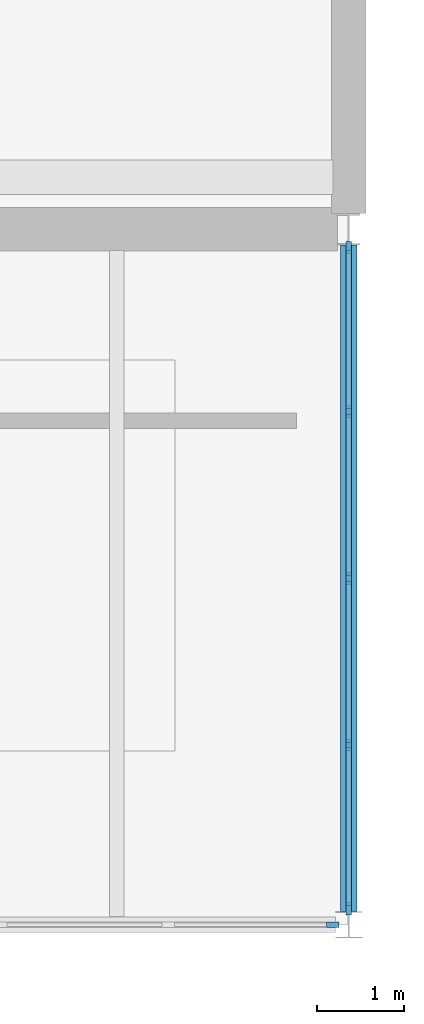
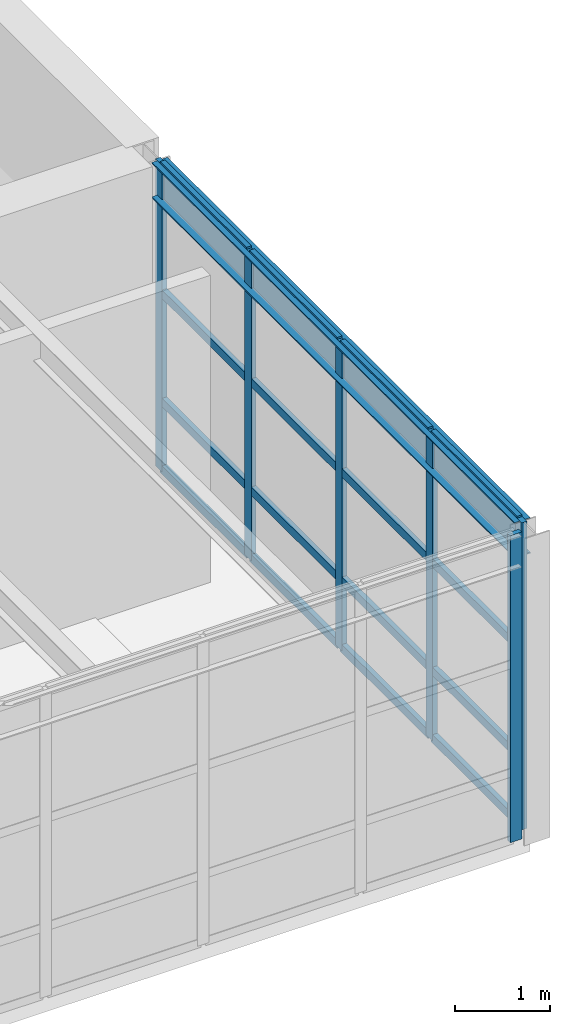
# One storey, part 7 of 15: 22 members, 1 beam, 2 elements without a shape of their own.
"""IFC4 building model written with IfcOpenShell, lengths in metres."""

from ifc_helpers import new_model, si_unit, direction, frame, origin, origin_2d, place, context, subcontext, project, spatial, rectangle, i_section, extrude, material, layer, layer_set, material_profile, profile_set, type_object, element, aggregate, save


model = new_model("IFC4")

# Units and contexts
model_context = context("Model", 3, precision=1e-05, world=origin(), true_north=direction((0.0, 1.0)))
body_context = subcontext(model_context, "Body", "Model", "MODEL_VIEW")
ifc_project = project(units=[si_unit("LENGTHUNIT", "METRE"), si_unit("AREAUNIT", "SQUARE_METRE"), si_unit("VOLUMEUNIT", "CUBIC_METRE"), si_unit("PLANEANGLEUNIT", "RADIAN"), si_unit("MASSUNIT", "GRAM", prefix="KILO")], contexts=[model_context])

# Site, building, storey
site_placement = place(None, origin())
site = spatial("IfcSite", under=ifc_project, at=site_placement, CompositionType="ELEMENT")
building_placement = place(site_placement, origin())
building = spatial("IfcBuilding", under=site, at=building_placement, Name="Varnela Railside Interchange", CompositionType="ELEMENT")
storey_placement = place(building_placement, frame((0.0, 0.0, 32.199951171875)))
storey = spatial("IfcBuildingStorey", under=building, at=storey_placement, Name="L07", CompositionType="ELEMENT", Elevation=32.199951171875)

# Curtain wall, member
ifc_material_1 = material(Name="Aluminium 6063-T6", Category="aluminium")
ifc_layer = layer(ifc_material_1, 0.035888671875)
ifc_layer_set = layer_set([ifc_layer], Name="Aluminium 6063-T6")
curtain_wall_type = type_object("IfcCurtainWallType", Name="Operations Wing Facade Curtain Wall CW-03", PredefinedType="USERDEFINED", material=ifc_layer_set)
curtain_wall_1_placement = place(storey_placement, origin())
curtain_wall_1 = element("IfcCurtainWall", 1, at=curtain_wall_1_placement, inside=storey, type_object=curtain_wall_type, Name="Curtain Wall CW-03 (L07) (CW-149)", ObjectType="CURTAIN WALL", PredefinedType="USERDEFINED")
ifc_material_profile_1 = material_profile(ifc_material_1, rectangle(XDim=0.06005859375, YDim=0.139892578125, at=origin_2d()), Name="ALU 60x140")
ifc_profile_set_1 = profile_set([ifc_material_profile_1], Name="Aluminium 6063-T6")
member_type_1 = type_object("IfcMemberType", Name="Curtain Wall Mullion ML-01", PredefinedType="MULLION", material=ifc_profile_set_1)
member_1_placement = place(storey_placement, frame((35.81494140625, 46.0, 0.0), z_axis=(0.0, 0.0, 1.0), x_axis=(0.0, -1.0, 0.0)))
member_1 = element("IfcMember", 2, at=member_1_placement, type_object=member_type_1, Name="CW-03 mullion 1", PredefinedType="MULLION", context=body_context, shape_type="SweptSolid", body=[
    extrude(rectangle(XDim=0.06005859375, YDim=0.139892578125, at=origin_2d()), origin(), (0.0, 0.0, 1.0), 3.9599609375),
])
aggregate(curtain_wall_1, [member_1])

# Curtain wall, members
curtain_wall_2_placement = place(storey_placement, origin())
curtain_wall_2 = element("IfcCurtainWall", 3, at=curtain_wall_2_placement, inside=storey, type_object=curtain_wall_type, Name="Curtain Wall CW-03 (L07) (CW-153)", ObjectType="CURTAIN WALL", PredefinedType="USERDEFINED")
member_2_placement = place(storey_placement, frame((36.0, 53.78857421875, 0.0), z_axis=(0.0, 0.0, 1.0), x_axis=(1.0, 0.0, 0.0)))
member_2 = element("IfcMember", 4, at=member_2_placement, type_object=member_type_1, Name="CW-03 mullion 1", PredefinedType="MULLION", context=body_context, shape_type="SweptSolid", body=[
    extrude(rectangle(XDim=0.06005859375, YDim=0.139892578125, at=origin_2d()), origin(), (0.0, 0.0, 1.0), 3.9599609375),
])
member_3_placement = place(storey_placement, frame((36.0, 51.90234375, 0.0), z_axis=(0.0, 0.0, 1.0), x_axis=(1.0, 0.0, 0.0)))
member_3 = element("IfcMember", 5, at=member_3_placement, type_object=member_type_1, Name="CW-03 mullion 2", PredefinedType="MULLION", context=body_context, shape_type="SweptSolid", body=[
    extrude(rectangle(XDim=0.06005859375, YDim=0.139892578125, at=origin_2d()), origin(), (0.0, 0.0, 1.0), 3.9599609375),
])
member_4_placement = place(storey_placement, frame((36.0, 49.986328125, 0.0), z_axis=(0.0, 0.0, 1.0), x_axis=(1.0, 0.0, 0.0)))
member_4 = element("IfcMember", 6, at=member_4_placement, type_object=member_type_1, Name="CW-03 mullion 3", PredefinedType="MULLION", context=body_context, shape_type="SweptSolid", body=[
    extrude(rectangle(XDim=0.06005859375, YDim=0.139892578125, at=origin_2d()), origin(), (0.0, 0.0, 1.0), 3.9599609375),
])
member_5_placement = place(storey_placement, frame((36.0, 48.070068359375, 0.0), z_axis=(0.0, 0.0, 1.0), x_axis=(1.0, 0.0, 0.0)))
member_5 = element("IfcMember", 7, at=member_5_placement, type_object=member_type_1, Name="CW-03 mullion 4", PredefinedType="MULLION", context=body_context, shape_type="SweptSolid", body=[
    extrude(rectangle(XDim=0.06005859375, YDim=0.139892578125, at=origin_2d()), origin(), (0.0, 0.0, 1.0), 3.9599609375),
])
member_6_placement = place(storey_placement, frame((36.0, 46.18408203125, 0.0), z_axis=(0.0, 0.0, 1.0), x_axis=(1.0, 0.0, 0.0)))
member_6 = element("IfcMember", 8, at=member_6_placement, type_object=member_type_1, Name="CW-03 mullion 5", PredefinedType="MULLION", context=body_context, shape_type="SweptSolid", body=[
    extrude(rectangle(XDim=0.06005859375, YDim=0.139892578125, at=origin_2d()), origin(), (0.0, 0.0, 1.0), 3.9599609375),
])
ifc_material_profile_2 = material_profile(ifc_material_1, rectangle(XDim=0.06005859375, YDim=0.110107421875, at=origin_2d()), Name="ALU 60x110")
ifc_profile_set_2 = profile_set([ifc_material_profile_2], Name="Aluminium 6063-T6")
member_type_2 = type_object("IfcMemberType", Name="Curtain Wall Transom TR-01", PredefinedType="USERDEFINED", material=ifc_profile_set_2)
member_7_placement = place(storey_placement, frame((36.0, 53.758544921875, 0.030029296875), z_axis=(0.0, -1.0, 0.0), x_axis=(1.0, 0.0, 0.0)))
member_7 = element("IfcMember", 9, at=member_7_placement, type_object=member_type_2, Name="CW-03 transom 1.1", ObjectType="TRANSOM", PredefinedType="USERDEFINED", context=body_context, shape_type="SweptSolid", body=[
    extrude(rectangle(XDim=0.06005859375, YDim=0.110107421875, at=origin_2d()), origin(), (0.0, 0.0, 1.0), 1.826171875),
])
member_8_placement = place(storey_placement, frame((36.0, 53.758544921875, 0.900146484375), z_axis=(0.0, -1.0, 0.0), x_axis=(1.0, 0.0, 0.0)))
member_8 = element("IfcMember", 10, at=member_8_placement, type_object=member_type_2, Name="CW-03 transom 1.2", ObjectType="TRANSOM", PredefinedType="USERDEFINED", context=body_context, shape_type="SweptSolid", body=[
    extrude(rectangle(XDim=0.06005859375, YDim=0.110107421875, at=origin_2d()), origin(), (0.0, 0.0, 1.0), 1.826171875),
])
member_9_placement = place(storey_placement, frame((36.0, 53.758544921875, 2.296875), z_axis=(0.0, -1.0, 0.0), x_axis=(1.0, 0.0, 0.0)))
member_9 = element("IfcMember", 11, at=member_9_placement, type_object=member_type_2, Name="CW-03 transom 1.3", ObjectType="TRANSOM", PredefinedType="USERDEFINED", context=body_context, shape_type="SweptSolid", body=[
    extrude(rectangle(XDim=0.06005859375, YDim=0.110107421875, at=origin_2d()), origin(), (0.0, 0.0, 1.0), 1.826171875),
])
member_10_placement = place(storey_placement, frame((36.0, 53.758544921875, 3.929931640625), z_axis=(0.0, -1.0, 0.0), x_axis=(1.0, 0.0, 0.0)))
member_10 = element("IfcMember", 12, at=member_10_placement, type_object=member_type_2, Name="CW-03 transom 1.4", ObjectType="TRANSOM", PredefinedType="USERDEFINED", context=body_context, shape_type="SweptSolid", body=[
    extrude(rectangle(XDim=0.06005859375, YDim=0.110107421875, at=origin_2d()), origin(), (0.0, 0.0, 1.0), 1.826171875),
])
member_11_placement = place(storey_placement, frame((36.0, 51.872314453125, 0.030029296875), z_axis=(0.0, -1.0, 0.0), x_axis=(1.0, 0.0, 0.0)))
member_11 = element("IfcMember", 13, at=member_11_placement, type_object=member_type_2, Name="CW-03 transom 2.1", ObjectType="TRANSOM", PredefinedType="USERDEFINED", context=body_context, shape_type="SweptSolid", body=[
    extrude(rectangle(XDim=0.06005859375, YDim=0.110107421875, at=origin_2d()), origin(), (0.0, 0.0, 1.0), 1.85595703125),
])
member_12_placement = place(storey_placement, frame((36.0, 51.872314453125, 0.900146484375), z_axis=(0.0, -1.0, 0.0), x_axis=(1.0, 0.0, 0.0)))
member_12 = element("IfcMember", 14, at=member_12_placement, type_object=member_type_2, Name="CW-03 transom 2.2", ObjectType="TRANSOM", PredefinedType="USERDEFINED", context=body_context, shape_type="SweptSolid", body=[
    extrude(rectangle(XDim=0.06005859375, YDim=0.110107421875, at=origin_2d()), origin(), (0.0, 0.0, 1.0), 1.85595703125),
])
member_13_placement = place(storey_placement, frame((36.0, 51.872314453125, 2.296875), z_axis=(0.0, -1.0, 0.0), x_axis=(1.0, 0.0, 0.0)))
member_13 = element("IfcMember", 15, at=member_13_placement, type_object=member_type_2, Name="CW-03 transom 2.3", ObjectType="TRANSOM", PredefinedType="USERDEFINED", context=body_context, shape_type="SweptSolid", body=[
    extrude(rectangle(XDim=0.06005859375, YDim=0.110107421875, at=origin_2d()), origin(), (0.0, 0.0, 1.0), 1.85595703125),
])
member_14_placement = place(storey_placement, frame((36.0, 51.872314453125, 3.929931640625), z_axis=(0.0, -1.0, 0.0), x_axis=(1.0, 0.0, 0.0)))
member_14 = element("IfcMember", 16, at=member_14_placement, type_object=member_type_2, Name="CW-03 transom 2.4", ObjectType="TRANSOM", PredefinedType="USERDEFINED", context=body_context, shape_type="SweptSolid", body=[
    extrude(rectangle(XDim=0.06005859375, YDim=0.110107421875, at=origin_2d()), origin(), (0.0, 0.0, 1.0), 1.85595703125),
])
member_15_placement = place(storey_placement, frame((36.0, 49.956298828125, 0.030029296875), z_axis=(0.0, -1.0, 0.0), x_axis=(1.0, 0.0, 0.0)))
member_15 = element("IfcMember", 17, at=member_15_placement, type_object=member_type_2, Name="CW-03 transom 3.1", ObjectType="TRANSOM", PredefinedType="USERDEFINED", context=body_context, shape_type="SweptSolid", body=[
    extrude(rectangle(XDim=0.06005859375, YDim=0.110107421875, at=origin_2d()), origin(), (0.0, 0.0, 1.0), 1.856201171875),
])
member_16_placement = place(storey_placement, frame((36.0, 49.956298828125, 0.900146484375), z_axis=(0.0, -1.0, 0.0), x_axis=(1.0, 0.0, 0.0)))
member_16 = element("IfcMember", 18, at=member_16_placement, type_object=member_type_2, Name="CW-03 transom 3.2", ObjectType="TRANSOM", PredefinedType="USERDEFINED", context=body_context, shape_type="SweptSolid", body=[
    extrude(rectangle(XDim=0.06005859375, YDim=0.110107421875, at=origin_2d()), origin(), (0.0, 0.0, 1.0), 1.856201171875),
])
member_17_placement = place(storey_placement, frame((36.0, 49.956298828125, 2.296875), z_axis=(0.0, -1.0, 0.0), x_axis=(1.0, 0.0, 0.0)))
member_17 = element("IfcMember", 19, at=member_17_placement, type_object=member_type_2, Name="CW-03 transom 3.3", ObjectType="TRANSOM", PredefinedType="USERDEFINED", context=body_context, shape_type="SweptSolid", body=[
    extrude(rectangle(XDim=0.06005859375, YDim=0.110107421875, at=origin_2d()), origin(), (0.0, 0.0, 1.0), 1.856201171875),
])
member_18_placement = place(storey_placement, frame((36.0, 49.956298828125, 3.929931640625), z_axis=(0.0, -1.0, 0.0), x_axis=(1.0, 0.0, 0.0)))
member_18 = element("IfcMember", 20, at=member_18_placement, type_object=member_type_2, Name="CW-03 transom 3.4", ObjectType="TRANSOM", PredefinedType="USERDEFINED", context=body_context, shape_type="SweptSolid", body=[
    extrude(rectangle(XDim=0.06005859375, YDim=0.110107421875, at=origin_2d()), origin(), (0.0, 0.0, 1.0), 1.856201171875),
])
member_19_placement = place(storey_placement, frame((36.0, 48.0400390625, 0.030029296875), z_axis=(0.0, -1.0, 0.0), x_axis=(1.0, 0.0, 0.0)))
member_19 = element("IfcMember", 21, at=member_19_placement, type_object=member_type_2, Name="CW-03 transom 4.1", ObjectType="TRANSOM", PredefinedType="USERDEFINED", context=body_context, shape_type="SweptSolid", body=[
    extrude(rectangle(XDim=0.06005859375, YDim=0.110107421875, at=origin_2d()), origin(), (0.0, 0.0, 1.0), 1.825927734375),
])
member_20_placement = place(storey_placement, frame((36.0, 48.0400390625, 0.900146484375), z_axis=(0.0, -1.0, 0.0), x_axis=(1.0, 0.0, 0.0)))
member_20 = element("IfcMember", 22, at=member_20_placement, type_object=member_type_2, Name="CW-03 transom 4.2", ObjectType="TRANSOM", PredefinedType="USERDEFINED", context=body_context, shape_type="SweptSolid", body=[
    extrude(rectangle(XDim=0.06005859375, YDim=0.110107421875, at=origin_2d()), origin(), (0.0, 0.0, 1.0), 1.825927734375),
])
member_21_placement = place(storey_placement, frame((36.0, 48.0400390625, 2.296875), z_axis=(0.0, -1.0, 0.0), x_axis=(1.0, 0.0, 0.0)))
member_21 = element("IfcMember", 23, at=member_21_placement, type_object=member_type_2, Name="CW-03 transom 4.3", ObjectType="TRANSOM", PredefinedType="USERDEFINED", context=body_context, shape_type="SweptSolid", body=[
    extrude(rectangle(XDim=0.06005859375, YDim=0.110107421875, at=origin_2d()), origin(), (0.0, 0.0, 1.0), 1.825927734375),
])
member_22_placement = place(storey_placement, frame((36.0, 48.0400390625, 3.929931640625), z_axis=(0.0, -1.0, 0.0), x_axis=(1.0, 0.0, 0.0)))
member_22 = element("IfcMember", 24, at=member_22_placement, type_object=member_type_2, Name="CW-03 transom 4.4", ObjectType="TRANSOM", PredefinedType="USERDEFINED", context=body_context, shape_type="SweptSolid", body=[
    extrude(rectangle(XDim=0.06005859375, YDim=0.110107421875, at=origin_2d()), origin(), (0.0, 0.0, 1.0), 1.825927734375),
])
aggregate(curtain_wall_2, [member_2, member_3, member_4, member_5, member_6, member_7, member_8, member_9, member_10, member_11, member_12, member_13, member_14, member_15, member_16, member_17, member_18, member_19, member_20, member_21, member_22])

# Beam
ifc_material_2 = material(Name="Steel AR 350 (350 MPa)", Category="steel")
ifc_material_profile_3 = material_profile(ifc_material_2, i_section(OverallWidth=0.19091796875, OverallDepth=0.4599609375, WebThickness=0.010009765625, FlangeThickness=0.01611328125, at=origin_2d()), Name="W460x82")
ifc_profile_set_3 = profile_set([ifc_material_profile_3], Name="Steel AR 350 (350 MPa)")
beam_type = type_object("IfcBeamType", Name="Steel Perimeter Spandrel SP-01", PredefinedType="SPANDREL", material=ifc_profile_set_3)
beam_placement = place(storey_placement, frame((36.0, 46.154052734375, 3.72998046875), z_axis=(0.0, 1.0, 0.0), x_axis=(-1.0, 0.0, 0.0)))
element("IfcBeam", 25, at=beam_placement, inside=storey, type_object=beam_type, Name="Steel Perimeter Spandrel SP-01 (L07) (BM-2776)", PredefinedType="SPANDREL", context=body_context, shape_type="SweptSolid", body=[
    extrude(i_section(OverallWidth=0.19091796875, OverallDepth=0.4599609375, WebThickness=0.010009765625, FlangeThickness=0.01611328125, at=origin_2d()), origin(), (0.0, 0.0, 1.0), 7.66455078125),
])

save(model, "model.ifc")
